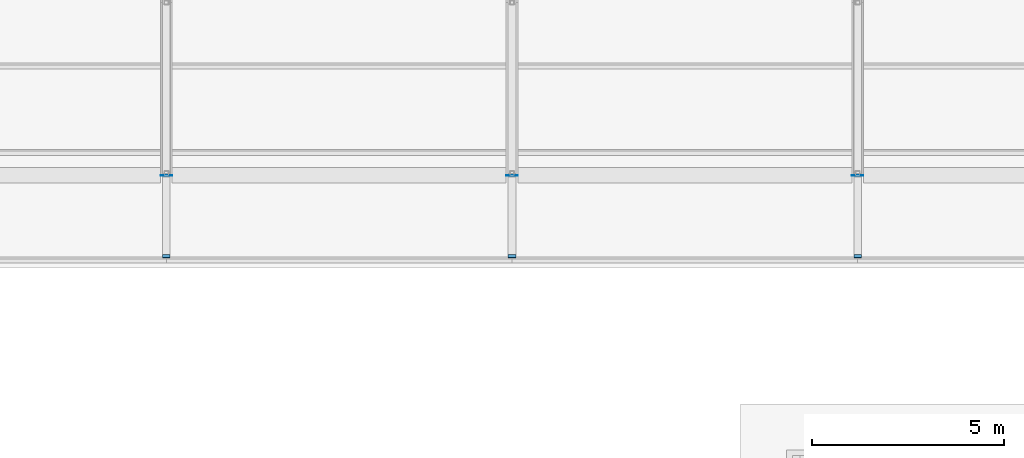
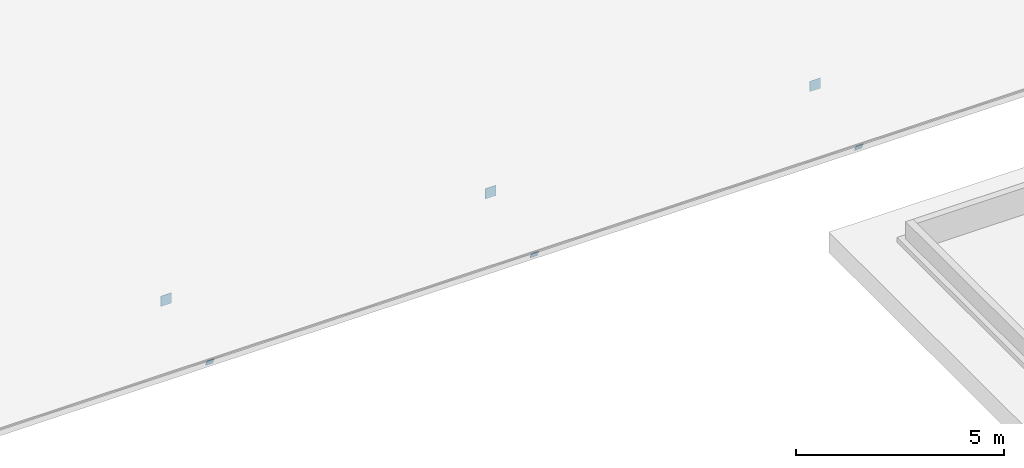
# One storey, part 131 of 154: 6 discrete accessories.
"""IFC4 building model written with IfcOpenShell, lengths in metres."""

import ifcopenshell
import ifcopenshell.guid

model = None  # the IFC model being written
_history = None  # IfcOwnerHistory: only IFC2X3 demands one
_inside = {}  # id of a spatial element -> (the spatial element, [elements in it])
_under = {}  # id of a project, library or spatial element -> (it, [spatial elements below it])
_declared = {}  # id of a project -> (the project, [libraries it declares])
_typed = {}  # id of a type object -> (the type object, [elements of that type])
_made_of = {}  # id of a material, layer set ... -> (it, [elements and type objects made of it])


def new_model(schema):
    """Start an empty IFC model of exactly this schema.

    Asked for "IFC4X3", IfcOpenShell would pick the latest addendum, in which some entities
    have other attributes; the version numbers below select the first issue.
    IFC2X3 requires an IfcOwnerHistory on every rooted entity: one is made here for all.
    """
    global model, _history
    if schema == "IFC4X3":
        model = ifcopenshell.file(schema_version=(4, 3, 0, 0))
    else:
        model = ifcopenshell.file(schema=schema)
    _inside.clear()
    _under.clear()
    _declared.clear()
    _typed.clear()
    _made_of.clear()
    _history = None
    if model.schema == "IFC2X3":
        org = make("IfcOrganization", Name="unknown")
        user = make(
            "IfcPersonAndOrganization",
            ThePerson=make("IfcPerson", FamilyName="unknown"),
            TheOrganization=org,
        )
        app = make(
            "IfcApplication",
            ApplicationDeveloper=org,
            Version="unknown",
            ApplicationFullName="unknown",
            ApplicationIdentifier="unknown",
        )
        _history = make(
            "IfcOwnerHistory",
            OwningUser=user,
            OwningApplication=app,
            ChangeAction="ADDED",
            CreationDate=0,
        )
    return model


def make(cls, **values):
    """One entity of the class cls with the attributes given. An attribute that is None is left unset."""
    return model.create_entity(
        cls, **{name: value for name, value in values.items() if value is not None}
    )


def rooted(cls, **values):
    """An entity with a GlobalId (a new one), such as an element, a storey or a relation."""
    return make(cls, GlobalId=ifcopenshell.guid.new(), OwnerHistory=_history, **values)


def si_unit(unit_type, name, prefix=None):
    """IfcSIUnit, for example si_unit("LENGTHUNIT", "METRE", prefix="MILLI")."""
    return make("IfcSIUnit", UnitType=unit_type, Prefix=prefix, Name=name)


def assignment(units):
    """IfcUnitAssignment: the units of a project."""
    return None if units is None else make("IfcUnitAssignment", Units=units)


def point(xyz):
    """IfcCartesianPoint."""
    return None if xyz is None else make("IfcCartesianPoint", Coordinates=xyz)


def direction(xyz):
    """IfcDirection."""
    return None if xyz is None else make("IfcDirection", DirectionRatios=xyz)


def frame(location, z_axis=None, x_axis=None):
    """IfcAxis2Placement3D, a coordinate frame: its origin and axes. An axis left out is left unset."""
    return make(
        "IfcAxis2Placement3D",
        Location=point(location),
        Axis=direction(z_axis),
        RefDirection=direction(x_axis),
    )


def frame_2d(location, x_axis=None):
    """IfcAxis2Placement2D, a coordinate frame in the plane: its origin and x axis."""
    return make(
        "IfcAxis2Placement2D", Location=point(location), RefDirection=direction(x_axis)
    )


def origin():
    """The frame at (0, 0, 0) with its axes left unset."""
    return frame((0.0, 0.0, 0.0))


def origin_2d():
    """The frame at (0, 0) in the plane with its x axis left unset."""
    return frame_2d((0.0, 0.0))


def place(relative_to, where):
    """IfcLocalPlacement: puts the frame where relative to a parent placement (None: the world)."""
    return make(
        "IfcLocalPlacement", PlacementRelTo=relative_to, RelativePlacement=where
    )


def context(
    kind, dimensions, precision=None, world=None, true_north=None, identifier=None
):
    """IfcGeometricRepresentationContext, for example the 3D "Model" context."""
    return make(
        "IfcGeometricRepresentationContext",
        ContextIdentifier=identifier,
        ContextType=kind,
        CoordinateSpaceDimension=dimensions,
        Precision=precision,
        WorldCoordinateSystem=world,
        TrueNorth=true_north,
    )


def subcontext(parent, identifier, kind, view, scale=None):
    """IfcGeometricRepresentationSubContext, for example "Body" below "Model"."""
    return make(
        "IfcGeometricRepresentationSubContext",
        ContextIdentifier=identifier,
        ContextType=kind,
        ParentContext=parent,
        TargetScale=scale,
        TargetView=view,
    )


def project(units=None, contexts=None):
    """IfcProject with its units and contexts."""
    return rooted(
        "IfcProject",
        Name="project",
        RepresentationContexts=contexts,
        UnitsInContext=assignment(units),
    )


def spatial(cls, under=None, at=None, **own):
    """A site, building, storey or space (cls), placed at a placement, below another one or the project."""
    s = rooted(cls, ObjectPlacement=at, **own)
    if under is not None:
        _under.setdefault(under.id(), (under, []))[1].append(s)
    return s


def profile(cls, at=None, kind="AREA", **sizes):
    """A parametric profile (cls). Its sizes go by their IFC names, for example OverallWidth=200.0."""
    return make(cls, ProfileType=kind, Position=at, **sizes)


def rectangle(**sizes):
    """IfcRectangleProfileDef."""
    return profile("IfcRectangleProfileDef", **sizes)


def extrude(swept, where, along, depth):
    """IfcExtrudedAreaSolid: the profile swept, set in the frame where, extruded along a direction by depth."""
    return make(
        "IfcExtrudedAreaSolid",
        SweptArea=swept,
        Position=where,
        ExtrudedDirection=direction(along),
        Depth=depth,
    )


def shape(context_of_items, identifier, shape_type, items):
    """IfcShapeRepresentation: the items that make up one representation, for example the "Body"."""
    return make(
        "IfcShapeRepresentation",
        ContextOfItems=context_of_items,
        RepresentationIdentifier=identifier,
        RepresentationType=shape_type,
        Items=items,
    )


def material(Name=None, Category=None):
    """IfcMaterial."""
    return make("IfcMaterial", Name=Name, Category=Category)


def material_profile(
    of_material, cross_section, Name=None, Category=None, Priority=None
):
    """IfcMaterialProfile: a cross section and its material."""
    return make(
        "IfcMaterialProfile",
        Name=Name,
        Material=of_material,
        Profile=cross_section,
        Priority=Priority,
        Category=Category,
    )


def profile_set(profiles, Name=None, composite=None):
    """IfcMaterialProfileSet."""
    return make(
        "IfcMaterialProfileSet",
        Name=Name,
        MaterialProfiles=profiles,
        CompositeProfile=composite,
    )


def made_of(thing, what):
    """Note that an element or type object is made of a material, layer set ...; save() writes the relation."""
    if what is not None:
        _made_of.setdefault(what.id(), (what, []))[1].append(thing)
    return thing


def type_object(cls, material=None, **own):
    """A type object (cls), such as IfcWallType, which elements share."""
    return made_of(rooted(cls, **own), material)


def element(
    cls,
    number,
    at=None,
    inside=None,
    cuts=None,
    type_object=None,
    material=None,
    context=None,
    identifier="Body",
    shape_type=None,
    held_by="IfcProductDefinitionShape",
    body=None,
    shapes=None,
    **own,
):
    """One element of the class cls, such as IfcWall. Its Tag is "e" and its number.

    at: its placement. inside: the storey or other place that contains it. cuts: it is an
    opening in that element (IfcRelVoidsElement). A single representation is given by context,
    identifier, shape_type and body (its items); several are given by shapes. held_by: the class
    of the entity that holds the representations. save() writes the other relations.
    """
    e = rooted(cls, Tag="e%d" % number, ObjectPlacement=at, **own)
    if body is not None:
        shapes = [shape(context, identifier, shape_type, body)]
    if shapes is not None:
        e.Representation = make(held_by, Representations=shapes)
    if inside is not None:
        _inside.setdefault(inside.id(), (inside, []))[1].append(e)
    if cuts is not None:
        rooted(
            "IfcRelVoidsElement", RelatingBuildingElement=cuts, RelatedOpeningElement=e
        )
    if type_object is not None:
        _typed.setdefault(type_object.id(), (type_object, []))[1].append(e)
    return made_of(e, material)


def aggregate(whole, parts):
    """IfcRelAggregates: a whole, such as a stair, and the parts it consists of."""
    return rooted("IfcRelAggregates", RelatingObject=whole, RelatedObjects=parts)


def save(model, path):
    """Write the relations noted so far, then the file.

    IfcRelAggregates (storeys below a building ...), IfcRelContainedInSpatialStructure (elements
    in a storey), IfcRelDefinesByType, IfcRelAssociatesMaterial and IfcRelDeclares: one each for
    every whole, place, type object, material and project.
    """
    for whole, parts in _under.values():
        aggregate(whole, parts)
    for where, things in _inside.values():
        rooted(
            "IfcRelContainedInSpatialStructure",
            RelatedElements=things,
            RelatingStructure=where,
        )
    for kind, things in _typed.values():
        rooted("IfcRelDefinesByType", RelatedObjects=things, RelatingType=kind)
    for what, things in _made_of.values():
        rooted("IfcRelAssociatesMaterial", RelatedObjects=things, RelatingMaterial=what)
    for by, libraries in _declared.values():
        rooted("IfcRelDeclares", RelatingContext=by, RelatedDefinitions=libraries)
    model.write(path)


model = new_model("IFC4")

# Units and contexts
model_context = context("Model", 3, precision=1e-05, world=origin(), true_north=direction((0.0, 1.0)))
body_context = subcontext(model_context, "Body", "Model", "MODEL_VIEW")
ifc_project = project(units=[si_unit("LENGTHUNIT", "METRE"), si_unit("AREAUNIT", "SQUARE_METRE"), si_unit("VOLUMEUNIT", "CUBIC_METRE"), si_unit("PLANEANGLEUNIT", "RADIAN"), si_unit("MASSUNIT", "GRAM", prefix="KILO")], contexts=[model_context])

# Site, building, storey
site_placement = place(None, origin())
site = spatial("IfcSite", under=ifc_project, at=site_placement, CompositionType="ELEMENT")
building_placement = place(site_placement, origin())
building = spatial("IfcBuilding", under=site, at=building_placement, Name="Golden Quay Civic Hall", CompositionType="ELEMENT")
storey_placement = place(building_placement, frame((0.0, 0.0, 14.39990234375)))
storey = spatial("IfcBuildingStorey", under=building, at=storey_placement, Name="L03", CompositionType="ELEMENT", Elevation=14.39990234375)

# Discrete accessories
ifc_material_1 = material(Name="Steel S355", Category="steel")
ifc_material_profile_1 = material_profile(ifc_material_1, rectangle(XDim=0.199951171875, YDim=0.199951171875, at=origin_2d()), Name="Steel end cap plate 200x200x16")
ifc_profile_set_1 = profile_set([ifc_material_profile_1], Name="Steel S355")
discrete_accessory_type_1 = type_object("IfcDiscreteAccessoryType", Name="Steel end cap plate 200x200x16", PredefinedType="BRACKET", material=ifc_profile_set_1)
for number, where, z_axis, x_axis, name in (
    (1, (135.0, 60.89990234375, -0.651123046875), (0.0, -0.90342581024, -0.428744452317), (1.0, 0.0, 0.0), "End cap truss 135 top chord 1"),
    (2, (144.0, 60.89990234375, -0.651123046875), (0.0, -0.90342581024, -0.428744452317), (1.0, 0.0, 0.0), "End cap truss 144 top chord 1"),
    (3, (153.0, 60.89990234375, -0.651123046875), (0.0, -0.90342581024, -0.428744452317), (1.0, 0.0, 0.0), "End cap truss 153 top chord 1"),
):
    element("IfcDiscreteAccessory", number, at=place(storey_placement, frame(where, z_axis=z_axis, x_axis=x_axis)), inside=storey, type_object=discrete_accessory_type_1, Name=name, PredefinedType="BRACKET", context=body_context, shape_type="SweptSolid", body=[
        extrude(rectangle(XDim=0.199951171875, YDim=0.199951171875, at=origin_2d()), origin(), (0.0, 0.0, 1.0), 0.015869140625),
    ])
ifc_material_2 = material(Name="Steel S355", Category="steel")
ifc_material_profile_2 = material_profile(ifc_material_2, rectangle(XDim=0.300048828125, YDim=0.300048828125, at=origin_2d()), Name="Steel end cap plate 300x300x16")
ifc_profile_set_2 = profile_set([ifc_material_profile_2], Name="Steel S355")
discrete_accessory_type_2 = type_object("IfcDiscreteAccessoryType", Name="Steel end cap plate 300x300x16", PredefinedType="BRACKET", material=ifc_profile_set_2)
for number, where, z_axis, x_axis, name in (
    (4, (135.0, 63.0, -0.099853515625), (0.0, -1.0, 0.0), (1.0, 0.0, 0.0), "End cap truss 135 bottom chord 1"),
    (5, (144.0, 63.0, -0.099853515625), (0.0, -1.0, 0.0), (1.0, 0.0, 0.0), "End cap truss 144 bottom chord 1"),
    (6, (153.0, 63.0, -0.099853515625), (0.0, -1.0, 0.0), (1.0, 0.0, 0.0), "End cap truss 153 bottom chord 1"),
):
    element("IfcDiscreteAccessory", number, at=place(storey_placement, frame(where, z_axis=z_axis, x_axis=x_axis)), inside=storey, type_object=discrete_accessory_type_2, Name=name, PredefinedType="BRACKET", context=body_context, shape_type="SweptSolid", body=[
        extrude(rectangle(XDim=0.300048828125, YDim=0.300048828125, at=origin_2d()), origin(), (0.0, 0.0, 1.0), 0.01611328125),
    ])

save(model, "model.ifc")
